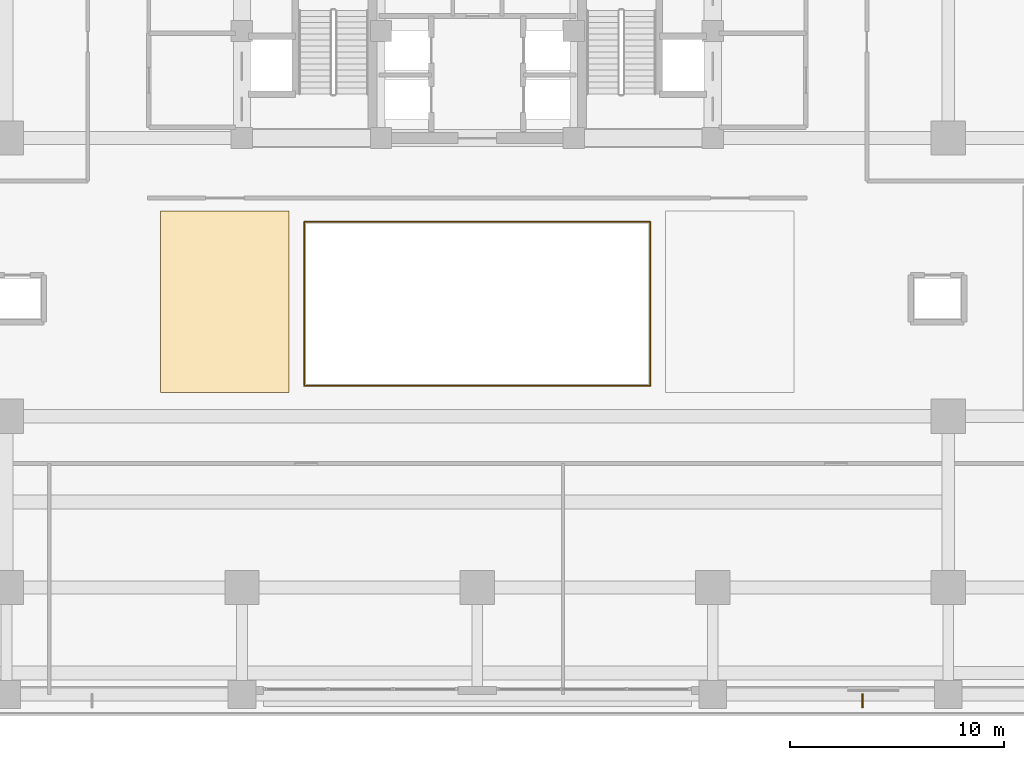
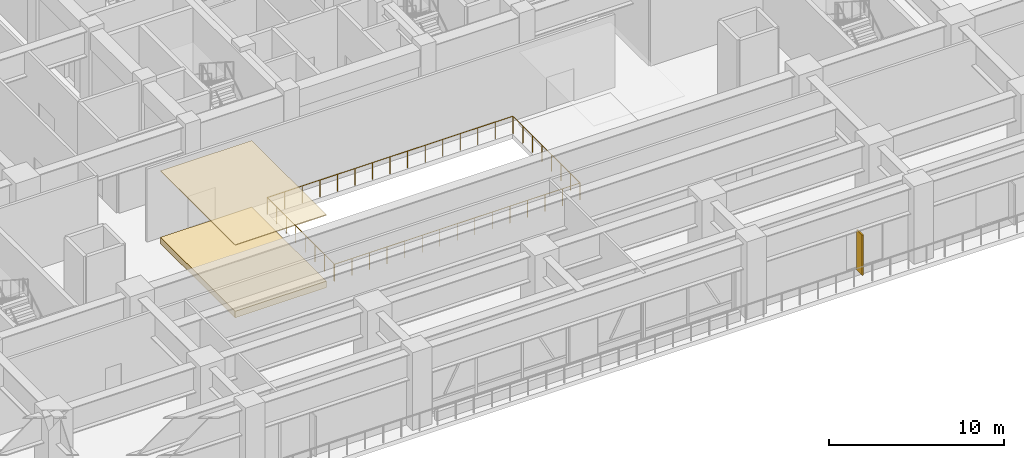
# One storey, part 23 of 28: 2 coverings, 2 railings, 1 shading device.
"""IFC4 building model written with IfcOpenShell, lengths in metres."""

from ifc_helpers import new_model, si_unit, direction, frame, origin, origin_2d, place, context, subcontext, project, spatial, polyline, rectangle, circle, outline, extrude, source, transform, mapped, material, layer, layer_set, type_object, element, save


model = new_model("IFC4")

# Units and contexts
model_context = context("Model", 3, precision=1e-05, world=origin(), true_north=direction((0.0, 1.0)))
body_context = subcontext(model_context, "Body", "Model", "MODEL_VIEW")
ifc_project = project(units=[si_unit("LENGTHUNIT", "METRE"), si_unit("AREAUNIT", "SQUARE_METRE"), si_unit("VOLUMEUNIT", "CUBIC_METRE"), si_unit("PLANEANGLEUNIT", "RADIAN"), si_unit("MASSUNIT", "GRAM", prefix="KILO")], contexts=[model_context])

# Site, building, storey
site_placement = place(None, origin())
site = spatial("IfcSite", under=ifc_project, at=site_placement, CompositionType="ELEMENT")
building_placement = place(site_placement, origin())
building = spatial("IfcBuilding", under=site, at=building_placement, Name="Khorayat Bourse Tower", CompositionType="ELEMENT")
storey_placement = place(building_placement, frame((0.0, 0.0, 6.60009765625)))
storey = spatial("IfcBuildingStorey", under=building, at=storey_placement, Name="L01", CompositionType="ELEMENT", Elevation=6.60009765625)

# Coverings
ifc_material_1 = material(Name="Perforated aluminium acoustic ceiling", Category="aluminium")
ifc_layer_1 = layer(ifc_material_1, 0.06005859375)
ifc_layer_set_1 = layer_set([ifc_layer_1], Name="Perforated aluminium acoustic ceiling")
covering_type_1 = type_object("IfcCoveringType", Name="COV-CEIL-BAFFLE", PredefinedType="CEILING", material=ifc_layer_set_1)
covering_1_placement = place(storey_placement, frame((0.0, 0.0, 5.02001953125)))
element("IfcCovering", 1, at=covering_1_placement, inside=storey, type_object=covering_type_1, Name="L01 Suspended Ceiling 1", PredefinedType="CEILING", context=body_context, shape_type="SweptSolid", body=[
    extrude(outline(polyline([(-14.800048828125, -22.89990234375), (-8.800048828125, -22.89990234375), (-8.800048828125, -14.39990234375), (-14.800048828125, -14.39990234375), (-14.800048828125, -22.89990234375)])), origin(), (0.0, 0.0, 1.0), 0.059814453125),
])
ifc_material_2 = material(Name="Calcium-sulphate raised access floor")
ifc_layer_2 = layer(ifc_material_2, 0.449951171875)
ifc_layer_set_2 = layer_set([ifc_layer_2], Name="Calcium-sulphate raised access floor")
covering_type_2 = type_object("IfcCoveringType", Name="COV-RAF-TRADING", PredefinedType="FLOORING", material=ifc_layer_set_2)
covering_2_placement = place(storey_placement, origin())
element("IfcCovering", 2, at=covering_2_placement, inside=storey, type_object=covering_type_2, Name="L01 Raised Access Floor 1", PredefinedType="FLOORING", context=body_context, shape_type="SweptSolid", body=[
    extrude(outline(polyline([(-14.800048828125, -22.89990234375), (-8.800048828125, -22.89990234375), (-8.800048828125, -14.39990234375), (-14.800048828125, -14.39990234375), (-14.800048828125, -22.89990234375)])), origin(), (0.0, 0.0, 1.0), 0.449951171875),
])

# Shading device
ifc_material_3 = material(Name="Anodised champagne aluminium", Category="aluminium")
ifc_layer_3 = layer(ifc_material_3, 0.080078125)
ifc_layer_set_3 = layer_set([ifc_layer_3], Name="Anodised champagne aluminium")
shading_device_type = type_object("IfcShadingDeviceType", Name="SHD-MASHRABIYA-FIN", PredefinedType="USERDEFINED", material=ifc_layer_set_3)
shared_shape_1 = source(origin(), body_context, "Body", "SweptSolid", [
    extrude(rectangle(XDim=0.080078125, YDim=0.64990234375, at=origin_2d()), origin(), (0.0, 0.0, 1.0), 2.800048828125),
])
shading_device_placement = place(storey_placement, frame((18.0, -37.300048828125, 0.39990234375), z_axis=(0.0, 0.0, 1.0), x_axis=(1.0, 0.0, 0.0)))
element("IfcShadingDevice", 3, at=shading_device_placement, inside=storey, type_object=shading_device_type, Name="L01 Mashrabiya Vertical Shading Fin 3", ObjectType="FIN", PredefinedType="USERDEFINED", context=body_context, shape_type="MappedRepresentation", body=[
    mapped(shared_shape_1, transform((0.0, 0.0, 0.0), scale=1.0)),
])

# Railings
ifc_material_4 = material(Name="Powder-coated steel balustrade", Category="steel")
railing_type = type_object("IfcRailingType", Name="RLG-GUARD-1200", PredefinedType="GUARDRAIL", material=ifc_material_4)
shared_shape_2 = source(origin(), body_context, "Body", "SweptSolid", [
    extrude(circle(Radius=0.02392578125, at=origin_2d()), frame((0.0, 0.0, 1.17578125), z_axis=(1.0, 0.0, 0.0), x_axis=(0.0, 1.0, 0.0)), (0.0, 0.0, 1.0), 16.16015625),
    extrude(circle(Radius=0.02392578125, at=origin_2d()), frame((16.16015625, 0.0, 1.17578125), z_axis=(0.0, 1.0, 0.0), x_axis=(-1.0, 0.0, 0.0)), (0.0, 0.0, 1.0), 7.60009765625),
    extrude(circle(Radius=0.02099609375, at=origin_2d()), origin(), (0.0, 0.0, 1.0), 1.15185546875),
    extrude(circle(Radius=0.02099609375, at=origin_2d()), frame((1.154296875, 0.0, 0.0)), (0.0, 0.0, 1.0), 1.15185546875),
    extrude(circle(Radius=0.02099609375, at=origin_2d()), frame((2.30859375, 0.0, 0.0)), (0.0, 0.0, 1.0), 1.15185546875),
    extrude(circle(Radius=0.02099609375, at=origin_2d()), frame((3.462890625, 0.0, 0.0)), (0.0, 0.0, 1.0), 1.15185546875),
    extrude(circle(Radius=0.02099609375, at=origin_2d()), frame((4.6171875, 0.0, 0.0)), (0.0, 0.0, 1.0), 1.15185546875),
    extrude(circle(Radius=0.02099609375, at=origin_2d()), frame((5.771484375, 0.0, 0.0)), (0.0, 0.0, 1.0), 1.15185546875),
    extrude(circle(Radius=0.02099609375, at=origin_2d()), frame((6.92578125, 0.0, 0.0)), (0.0, 0.0, 1.0), 1.15185546875),
    extrude(circle(Radius=0.02099609375, at=origin_2d()), frame((8.080078125, 0.0, 0.0)), (0.0, 0.0, 1.0), 1.15185546875),
    extrude(circle(Radius=0.02099609375, at=origin_2d()), frame((9.234375, 0.0, 0.0)), (0.0, 0.0, 1.0), 1.15185546875),
    extrude(circle(Radius=0.02099609375, at=origin_2d()), frame((10.388671875, 0.0, 0.0)), (0.0, 0.0, 1.0), 1.15185546875),
    extrude(circle(Radius=0.02099609375, at=origin_2d()), frame((11.54296875, 0.0, 0.0)), (0.0, 0.0, 1.0), 1.15185546875),
    extrude(circle(Radius=0.02099609375, at=origin_2d()), frame((12.697265625, 0.0, 0.0)), (0.0, 0.0, 1.0), 1.15185546875),
    extrude(circle(Radius=0.02099609375, at=origin_2d()), frame((13.8515625, 0.0, 0.0)), (0.0, 0.0, 1.0), 1.15185546875),
    extrude(circle(Radius=0.02099609375, at=origin_2d()), frame((15.005859375, 0.0, 0.0)), (0.0, 0.0, 1.0), 1.15185546875),
    extrude(circle(Radius=0.02099609375, at=origin_2d()), frame((16.16015625, 0.0, 0.0)), (0.0, 0.0, 1.0), 1.15185546875),
    extrude(circle(Radius=0.02099609375, at=origin_2d()), frame((16.16015625, 1.085693359375, 0.0)), (0.0, 0.0, 1.0), 1.15185546875),
    extrude(circle(Radius=0.02099609375, at=origin_2d()), frame((16.16015625, 2.17138671875, 0.0)), (0.0, 0.0, 1.0), 1.15185546875),
    extrude(circle(Radius=0.02099609375, at=origin_2d()), frame((16.16015625, 3.257080078125, 0.0)), (0.0, 0.0, 1.0), 1.15185546875),
    extrude(circle(Radius=0.02099609375, at=origin_2d()), frame((16.16015625, 4.343017578125, 0.0)), (0.0, 0.0, 1.0), 1.15185546875),
    extrude(circle(Radius=0.02099609375, at=origin_2d()), frame((16.16015625, 5.4287109375, 0.0)), (0.0, 0.0, 1.0), 1.15185546875),
    extrude(circle(Radius=0.02099609375, at=origin_2d()), frame((16.16015625, 6.514404296875, 0.0)), (0.0, 0.0, 1.0), 1.15185546875),
    extrude(circle(Radius=0.02099609375, at=origin_2d()), frame((16.16015625, 7.60009765625, 0.0)), (0.0, 0.0, 1.0), 1.15185546875),
])
railing_1_placement = place(storey_placement, frame((-8.080078125, -22.580078125, 0.0)))
element("IfcRailing", 4, at=railing_1_placement, inside=storey, type_object=railing_type, Name="L01 Exchange Atrium Guardrail SE", PredefinedType="GUARDRAIL", context=body_context, shape_type="MappedRepresentation", body=[
    mapped(shared_shape_2, transform((0.0, 0.0, 0.0), scale=1.0)),
])
shared_shape_3 = source(origin(), body_context, "Body", "SweptSolid", [
    extrude(circle(Radius=0.02392578125, at=origin_2d()), frame((0.0, 0.0, 1.17578125), z_axis=(-1.0, 0.0, 0.0), x_axis=(0.0, -1.0, 0.0)), (0.0, 0.0, 1.0), 16.16015625),
    extrude(circle(Radius=0.02392578125, at=origin_2d()), frame((-16.16015625, 0.0, 1.17578125), z_axis=(0.0, -1.0, 0.0), x_axis=(1.0, 0.0, 0.0)), (0.0, 0.0, 1.0), 7.60009765625),
    extrude(circle(Radius=0.02099609375, at=origin_2d()), origin(), (0.0, 0.0, 1.0), 1.15185546875),
    extrude(circle(Radius=0.02099609375, at=origin_2d()), frame((-1.154296875, 0.0, 0.0)), (0.0, 0.0, 1.0), 1.15185546875),
    extrude(circle(Radius=0.02099609375, at=origin_2d()), frame((-2.30859375, 0.0, 0.0)), (0.0, 0.0, 1.0), 1.15185546875),
    extrude(circle(Radius=0.02099609375, at=origin_2d()), frame((-3.462890625, 0.0, 0.0)), (0.0, 0.0, 1.0), 1.15185546875),
    extrude(circle(Radius=0.02099609375, at=origin_2d()), frame((-4.6171875, 0.0, 0.0)), (0.0, 0.0, 1.0), 1.15185546875),
    extrude(circle(Radius=0.02099609375, at=origin_2d()), frame((-5.771484375, 0.0, 0.0)), (0.0, 0.0, 1.0), 1.15185546875),
    extrude(circle(Radius=0.02099609375, at=origin_2d()), frame((-6.92578125, 0.0, 0.0)), (0.0, 0.0, 1.0), 1.15185546875),
    extrude(circle(Radius=0.02099609375, at=origin_2d()), frame((-8.080078125, 0.0, 0.0)), (0.0, 0.0, 1.0), 1.15185546875),
    extrude(circle(Radius=0.02099609375, at=origin_2d()), frame((-9.234375, 0.0, 0.0)), (0.0, 0.0, 1.0), 1.15185546875),
    extrude(circle(Radius=0.02099609375, at=origin_2d()), frame((-10.388671875, 0.0, 0.0)), (0.0, 0.0, 1.0), 1.15185546875),
    extrude(circle(Radius=0.02099609375, at=origin_2d()), frame((-11.54296875, 0.0, 0.0)), (0.0, 0.0, 1.0), 1.15185546875),
    extrude(circle(Radius=0.02099609375, at=origin_2d()), frame((-12.697265625, 0.0, 0.0)), (0.0, 0.0, 1.0), 1.15185546875),
    extrude(circle(Radius=0.02099609375, at=origin_2d()), frame((-13.8515625, 0.0, 0.0)), (0.0, 0.0, 1.0), 1.15185546875),
    extrude(circle(Radius=0.02099609375, at=origin_2d()), frame((-15.005859375, 0.0, 0.0)), (0.0, 0.0, 1.0), 1.15185546875),
    extrude(circle(Radius=0.02099609375, at=origin_2d()), frame((-16.16015625, 0.0, 0.0)), (0.0, 0.0, 1.0), 1.15185546875),
    extrude(circle(Radius=0.02099609375, at=origin_2d()), frame((-16.16015625, -1.085693359375, 0.0)), (0.0, 0.0, 1.0), 1.15185546875),
    extrude(circle(Radius=0.02099609375, at=origin_2d()), frame((-16.16015625, -2.17138671875, 0.0)), (0.0, 0.0, 1.0), 1.15185546875),
    extrude(circle(Radius=0.02099609375, at=origin_2d()), frame((-16.16015625, -3.257080078125, 0.0)), (0.0, 0.0, 1.0), 1.15185546875),
    extrude(circle(Radius=0.02099609375, at=origin_2d()), frame((-16.16015625, -4.343017578125, 0.0)), (0.0, 0.0, 1.0), 1.15185546875),
    extrude(circle(Radius=0.02099609375, at=origin_2d()), frame((-16.16015625, -5.4287109375, 0.0)), (0.0, 0.0, 1.0), 1.15185546875),
    extrude(circle(Radius=0.02099609375, at=origin_2d()), frame((-16.16015625, -6.514404296875, 0.0)), (0.0, 0.0, 1.0), 1.15185546875),
    extrude(circle(Radius=0.02099609375, at=origin_2d()), frame((-16.16015625, -7.60009765625, 0.0)), (0.0, 0.0, 1.0), 1.15185546875),
])
railing_2_placement = place(storey_placement, frame((8.080078125, -14.919921875, 0.0)))
element("IfcRailing", 5, at=railing_2_placement, inside=storey, type_object=railing_type, Name="L01 Exchange Atrium Guardrail NW", PredefinedType="GUARDRAIL", context=body_context, shape_type="MappedRepresentation", body=[
    mapped(shared_shape_3, transform((0.0, 0.0, 0.0), scale=1.0)),
])

save(model, "model.ifc")
